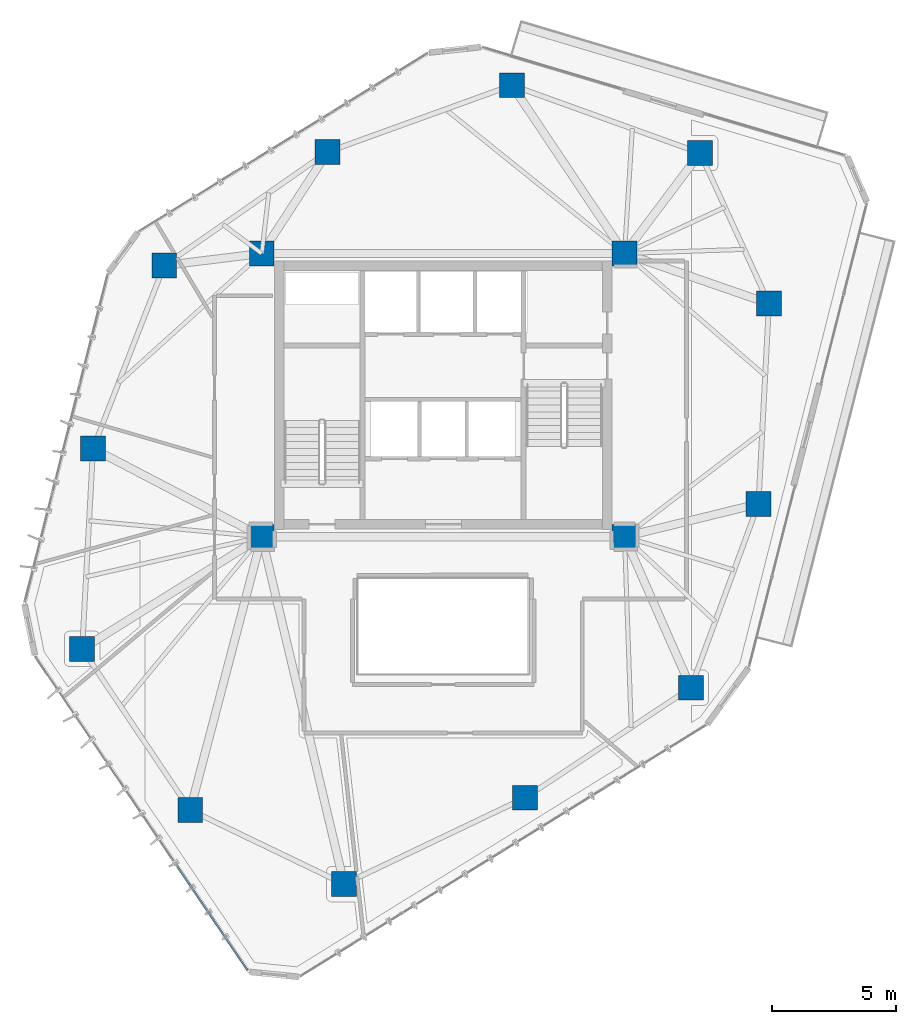
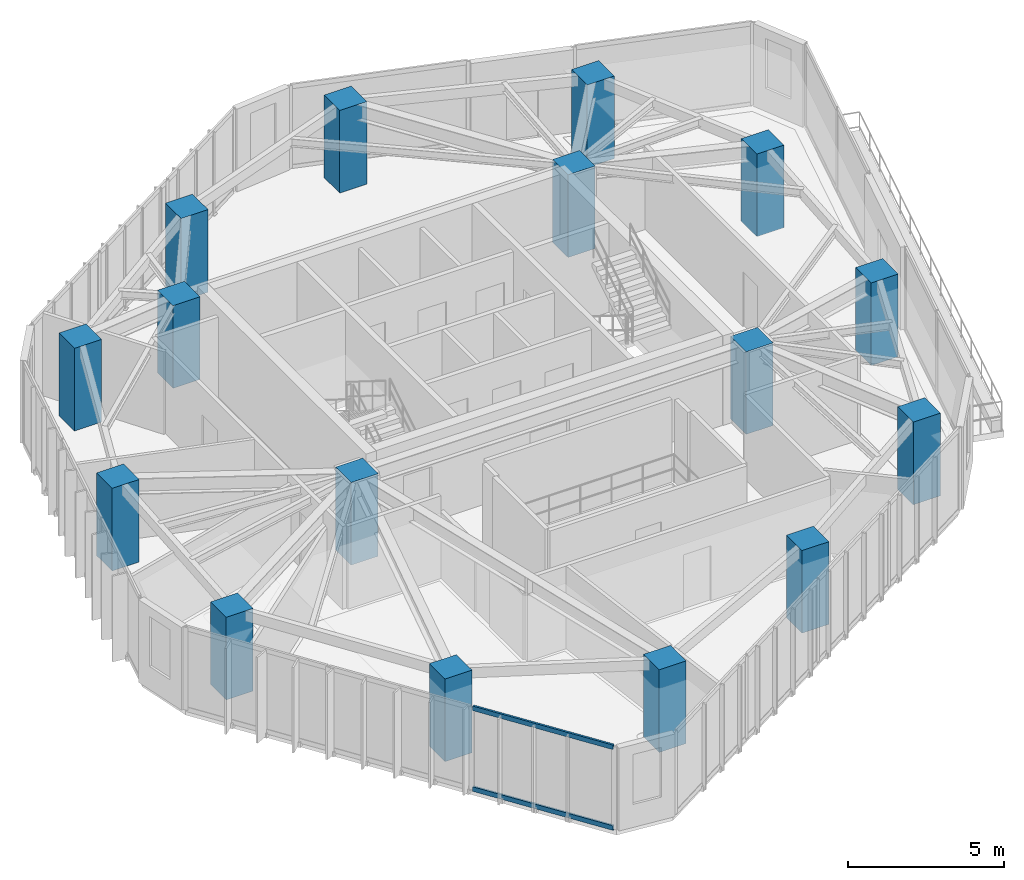
# One storey, part 1 of 21: 16 columns, 2 members, 1 element without a shape of its own.
"""IFC4 building model written with IfcOpenShell, lengths in metres."""

import ifcopenshell
import ifcopenshell.guid

model = None  # the IFC model being written
_history = None  # IfcOwnerHistory: only IFC2X3 demands one
_inside = {}  # id of a spatial element -> (the spatial element, [elements in it])
_under = {}  # id of a project, library or spatial element -> (it, [spatial elements below it])
_declared = {}  # id of a project -> (the project, [libraries it declares])
_typed = {}  # id of a type object -> (the type object, [elements of that type])
_made_of = {}  # id of a material, layer set ... -> (it, [elements and type objects made of it])


def new_model(schema):
    """Start an empty IFC model of exactly this schema.

    Asked for "IFC4X3", IfcOpenShell would pick the latest addendum, in which some entities
    have other attributes; the version numbers below select the first issue.
    IFC2X3 requires an IfcOwnerHistory on every rooted entity: one is made here for all.
    """
    global model, _history
    if schema == "IFC4X3":
        model = ifcopenshell.file(schema_version=(4, 3, 0, 0))
    else:
        model = ifcopenshell.file(schema=schema)
    _inside.clear()
    _under.clear()
    _declared.clear()
    _typed.clear()
    _made_of.clear()
    _history = None
    if model.schema == "IFC2X3":
        org = make("IfcOrganization", Name="unknown")
        user = make(
            "IfcPersonAndOrganization",
            ThePerson=make("IfcPerson", FamilyName="unknown"),
            TheOrganization=org,
        )
        app = make(
            "IfcApplication",
            ApplicationDeveloper=org,
            Version="unknown",
            ApplicationFullName="unknown",
            ApplicationIdentifier="unknown",
        )
        _history = make(
            "IfcOwnerHistory",
            OwningUser=user,
            OwningApplication=app,
            ChangeAction="ADDED",
            CreationDate=0,
        )
    return model


def make(cls, **values):
    """One entity of the class cls with the attributes given. An attribute that is None is left unset."""
    return model.create_entity(
        cls, **{name: value for name, value in values.items() if value is not None}
    )


def rooted(cls, **values):
    """An entity with a GlobalId (a new one), such as an element, a storey or a relation."""
    return make(cls, GlobalId=ifcopenshell.guid.new(), OwnerHistory=_history, **values)


def si_unit(unit_type, name, prefix=None):
    """IfcSIUnit, for example si_unit("LENGTHUNIT", "METRE", prefix="MILLI")."""
    return make("IfcSIUnit", UnitType=unit_type, Prefix=prefix, Name=name)


def assignment(units):
    """IfcUnitAssignment: the units of a project."""
    return None if units is None else make("IfcUnitAssignment", Units=units)


def point(xyz):
    """IfcCartesianPoint."""
    return None if xyz is None else make("IfcCartesianPoint", Coordinates=xyz)


def direction(xyz):
    """IfcDirection."""
    return None if xyz is None else make("IfcDirection", DirectionRatios=xyz)


def frame(location, z_axis=None, x_axis=None):
    """IfcAxis2Placement3D, a coordinate frame: its origin and axes. An axis left out is left unset."""
    return make(
        "IfcAxis2Placement3D",
        Location=point(location),
        Axis=direction(z_axis),
        RefDirection=direction(x_axis),
    )


def frame_2d(location, x_axis=None):
    """IfcAxis2Placement2D, a coordinate frame in the plane: its origin and x axis."""
    return make(
        "IfcAxis2Placement2D", Location=point(location), RefDirection=direction(x_axis)
    )


def origin():
    """The frame at (0, 0, 0) with its axes left unset."""
    return frame((0.0, 0.0, 0.0))


def origin_2d():
    """The frame at (0, 0) in the plane with its x axis left unset."""
    return frame_2d((0.0, 0.0))


def place(relative_to, where):
    """IfcLocalPlacement: puts the frame where relative to a parent placement (None: the world)."""
    return make(
        "IfcLocalPlacement", PlacementRelTo=relative_to, RelativePlacement=where
    )


def context(
    kind, dimensions, precision=None, world=None, true_north=None, identifier=None
):
    """IfcGeometricRepresentationContext, for example the 3D "Model" context."""
    return make(
        "IfcGeometricRepresentationContext",
        ContextIdentifier=identifier,
        ContextType=kind,
        CoordinateSpaceDimension=dimensions,
        Precision=precision,
        WorldCoordinateSystem=world,
        TrueNorth=true_north,
    )


def subcontext(parent, identifier, kind, view, scale=None):
    """IfcGeometricRepresentationSubContext, for example "Body" below "Model"."""
    return make(
        "IfcGeometricRepresentationSubContext",
        ContextIdentifier=identifier,
        ContextType=kind,
        ParentContext=parent,
        TargetScale=scale,
        TargetView=view,
    )


def project(units=None, contexts=None):
    """IfcProject with its units and contexts."""
    return rooted(
        "IfcProject",
        Name="project",
        RepresentationContexts=contexts,
        UnitsInContext=assignment(units),
    )


def spatial(cls, under=None, at=None, **own):
    """A site, building, storey or space (cls), placed at a placement, below another one or the project."""
    s = rooted(cls, ObjectPlacement=at, **own)
    if under is not None:
        _under.setdefault(under.id(), (under, []))[1].append(s)
    return s


def profile(cls, at=None, kind="AREA", **sizes):
    """A parametric profile (cls). Its sizes go by their IFC names, for example OverallWidth=200.0."""
    return make(cls, ProfileType=kind, Position=at, **sizes)


def rectangle(**sizes):
    """IfcRectangleProfileDef."""
    return profile("IfcRectangleProfileDef", **sizes)


def hollow_rectangle(**sizes):
    """IfcRectangleHollowProfileDef."""
    return profile("IfcRectangleHollowProfileDef", **sizes)


def extrude(swept, where, along, depth):
    """IfcExtrudedAreaSolid: the profile swept, set in the frame where, extruded along a direction by depth."""
    return make(
        "IfcExtrudedAreaSolid",
        SweptArea=swept,
        Position=where,
        ExtrudedDirection=direction(along),
        Depth=depth,
    )


def shape(context_of_items, identifier, shape_type, items):
    """IfcShapeRepresentation: the items that make up one representation, for example the "Body"."""
    return make(
        "IfcShapeRepresentation",
        ContextOfItems=context_of_items,
        RepresentationIdentifier=identifier,
        RepresentationType=shape_type,
        Items=items,
    )


def source(mapping_origin, context_of_items, identifier, shape_type, items):
    """IfcRepresentationMap: a shape defined once, which mapped items show again and again."""
    return make(
        "IfcRepresentationMap",
        MappingOrigin=mapping_origin,
        MappedRepresentation=shape(context_of_items, identifier, shape_type, items),
    )


def transform(
    local_origin,
    x_axis=None,
    y_axis=None,
    z_axis=None,
    scale=None,
    scale2=None,
    scale3=None,
    uniform=True,
):
    """IfcCartesianTransformationOperator3D, or its non-uniform kind. x_axis, y_axis, z_axis: its Axis1, 2, 3."""
    if uniform:
        return make(
            "IfcCartesianTransformationOperator3D",
            Axis1=direction(x_axis),
            Axis2=direction(y_axis),
            LocalOrigin=point(local_origin),
            Scale=scale,
            Axis3=direction(z_axis),
        )
    return make(
        "IfcCartesianTransformationOperator3DnonUniform",
        Axis1=direction(x_axis),
        Axis2=direction(y_axis),
        LocalOrigin=point(local_origin),
        Scale=scale,
        Axis3=direction(z_axis),
        Scale2=scale2,
        Scale3=scale3,
    )


def mapped(mapping_source, mapping_target):
    """IfcMappedItem: shows the shape of a source again, moved by a transform."""
    return make(
        "IfcMappedItem", MappingSource=mapping_source, MappingTarget=mapping_target
    )


def material(Name=None, Category=None):
    """IfcMaterial."""
    return make("IfcMaterial", Name=Name, Category=Category)


def layer(
    of_material, thickness, ventilated=None, Name=None, Category=None, Priority=None
):
    """IfcMaterialLayer: one layer of a wall or slab, of a material (None: an air gap)."""
    return make(
        "IfcMaterialLayer",
        Material=of_material,
        LayerThickness=thickness,
        IsVentilated=ventilated,
        Name=Name,
        Category=Category,
        Priority=Priority,
    )


def layer_set(layers, Name=None):
    """IfcMaterialLayerSet."""
    return make("IfcMaterialLayerSet", MaterialLayers=layers, LayerSetName=Name)


def material_profile(
    of_material, cross_section, Name=None, Category=None, Priority=None
):
    """IfcMaterialProfile: a cross section and its material."""
    return make(
        "IfcMaterialProfile",
        Name=Name,
        Material=of_material,
        Profile=cross_section,
        Priority=Priority,
        Category=Category,
    )


def profile_set(profiles, Name=None, composite=None):
    """IfcMaterialProfileSet."""
    return make(
        "IfcMaterialProfileSet",
        Name=Name,
        MaterialProfiles=profiles,
        CompositeProfile=composite,
    )


def made_of(thing, what):
    """Note that an element or type object is made of a material, layer set ...; save() writes the relation."""
    if what is not None:
        _made_of.setdefault(what.id(), (what, []))[1].append(thing)
    return thing


def type_object(cls, material=None, **own):
    """A type object (cls), such as IfcWallType, which elements share."""
    return made_of(rooted(cls, **own), material)


def type_shapes(of_type, sources):
    """Give a type object the sources (RepresentationMaps) that its elements show as mapped items."""
    of_type.RepresentationMaps = sources


def element(
    cls,
    number,
    at=None,
    inside=None,
    cuts=None,
    type_object=None,
    material=None,
    context=None,
    identifier="Body",
    shape_type=None,
    held_by="IfcProductDefinitionShape",
    body=None,
    shapes=None,
    **own,
):
    """One element of the class cls, such as IfcWall. Its Tag is "e" and its number.

    at: its placement. inside: the storey or other place that contains it. cuts: it is an
    opening in that element (IfcRelVoidsElement). A single representation is given by context,
    identifier, shape_type and body (its items); several are given by shapes. held_by: the class
    of the entity that holds the representations. save() writes the other relations.
    """
    e = rooted(cls, Tag="e%d" % number, ObjectPlacement=at, **own)
    if body is not None:
        shapes = [shape(context, identifier, shape_type, body)]
    if shapes is not None:
        e.Representation = make(held_by, Representations=shapes)
    if inside is not None:
        _inside.setdefault(inside.id(), (inside, []))[1].append(e)
    if cuts is not None:
        rooted(
            "IfcRelVoidsElement", RelatingBuildingElement=cuts, RelatedOpeningElement=e
        )
    if type_object is not None:
        _typed.setdefault(type_object.id(), (type_object, []))[1].append(e)
    return made_of(e, material)


def aggregate(whole, parts):
    """IfcRelAggregates: a whole, such as a stair, and the parts it consists of."""
    return rooted("IfcRelAggregates", RelatingObject=whole, RelatedObjects=parts)


def save(model, path):
    """Write the relations noted so far, then the file.

    IfcRelAggregates (storeys below a building ...), IfcRelContainedInSpatialStructure (elements
    in a storey), IfcRelDefinesByType, IfcRelAssociatesMaterial and IfcRelDeclares: one each for
    every whole, place, type object, material and project.
    """
    for whole, parts in _under.values():
        aggregate(whole, parts)
    for where, things in _inside.values():
        rooted(
            "IfcRelContainedInSpatialStructure",
            RelatedElements=things,
            RelatingStructure=where,
        )
    for kind, things in _typed.values():
        rooted("IfcRelDefinesByType", RelatedObjects=things, RelatingType=kind)
    for what, things in _made_of.values():
        rooted("IfcRelAssociatesMaterial", RelatedObjects=things, RelatingMaterial=what)
    for by, libraries in _declared.values():
        rooted("IfcRelDeclares", RelatingContext=by, RelatedDefinitions=libraries)
    model.write(path)


model = new_model("IFC4")

# Units and contexts
model_context = context("Model", 3, precision=1e-05, world=origin(), true_north=direction((0.0, 1.0)))
body_context = subcontext(model_context, "Body", "Model", "MODEL_VIEW")
ifc_project = project(units=[si_unit("LENGTHUNIT", "METRE"), si_unit("AREAUNIT", "SQUARE_METRE"), si_unit("VOLUMEUNIT", "CUBIC_METRE"), si_unit("PLANEANGLEUNIT", "RADIAN"), si_unit("MASSUNIT", "GRAM", prefix="KILO")], contexts=[model_context])

# Site, building, storey
site_placement = place(None, origin())
site = spatial("IfcSite", under=ifc_project, at=site_placement, CompositionType="ELEMENT")
building_placement = place(site_placement, origin())
building = spatial("IfcBuilding", under=site, at=building_placement, Name="Talar Marvaseh", CompositionType="ELEMENT")
storey_placement = place(building_placement, frame((0.0, 0.0, 184.5)))
storey = spatial("IfcBuildingStorey", under=building, at=storey_placement, Name="L48", CompositionType="ELEMENT", Elevation=184.5)

# Columns
ifc_material_1 = material(Name="Concrete C60/75", Category="concrete")
ifc_material_profile_1 = material_profile(ifc_material_1, rectangle(XDim=1.0, YDim=1.0, at=origin_2d()), Name="RC1000x1000")
ifc_profile_set_1 = profile_set([ifc_material_profile_1], Name="Concrete C60/75")
column_type = type_object("IfcColumnType", Name="Zone 3 Tube Column RC1000x1000", PredefinedType="COLUMN", material=ifc_profile_set_1)
for number, where, z_axis, x_axis, name in (
    (1, (28.76611328125, 43.66796875, 0.0), (0.0, 0.0, 1.0), (1.0, 0.0, 0.0), "L48 Zone 3 Tube Column RC1000x1000"),
    (2, (36.341064453125, 40.94189453125, 0.0), (0.0, 0.0, 1.0), (1.0, 0.0, 0.0), "L48 Zone 3 Tube Column RC1000x1000"),
    (3, (39.113037109375, 34.884033203125, 0.0), (0.0, 0.0, 1.0), (1.0, 0.0, 0.0), "L48 Zone 3 Tube Column RC1000x1000"),
    (4, (38.68896484375, 26.823974609375, 0.0), (0.0, 0.0, 1.0), (1.0, 0.0, 0.0), "L48 Zone 3 Tube Column RC1000x1000"),
    (5, (35.970947265625, 19.423095703125, 0.0), (0.0, 0.0, 1.0), (1.0, 0.0, 0.0), "L48 Zone 3 Tube Column RC1000x1000"),
    (6, (29.299072265625, 14.993896484375, 0.0), (0.0, 0.0, 1.0), (1.0, 0.0, 0.0), "L48 Zone 3 Tube Column RC1000x1000"),
    (7, (22.014892578125, 11.51904296875, 0.0), (0.0, 0.0, 1.0), (1.0, 0.0, 0.0), "L48 Zone 3 Tube Column RC1000x1000"),
    (8, (15.819091796875, 14.5009765625, 0.0), (0.0, 0.0, 1.0), (1.0, 0.0, 0.0), "L48 Zone 3 Tube Column RC1000x1000"),
    (9, (11.471923828125, 20.986083984375, 0.0), (0.0, 0.0, 1.0), (1.0, 0.0, 0.0), "L48 Zone 3 Tube Column RC1000x1000"),
    (10, (11.908935546875, 29.044921875, 0.0), (0.0, 0.0, 1.0), (1.0, 0.0, 0.0), "L48 Zone 3 Tube Column RC1000x1000"),
    (11, (14.77294921875, 36.416015625, 0.0), (0.0, 0.0, 1.0), (1.0, 0.0, 0.0), "L48 Zone 3 Tube Column RC1000x1000"),
    (12, (21.35205078125, 40.986083984375, 0.0), (0.0, 0.0, 1.0), (1.0, 0.0, 0.0), "L48 Zone 3 Tube Column RC1000x1000"),
    (13, (18.699951171875, 25.5, 0.0), (0.0, 0.0, 1.0), (1.0, 0.0, 0.0), "L48 Zone 3 Tube Column RC1000x1000"),
    (14, (33.300048828125, 25.5, 0.0), (0.0, 0.0, 1.0), (1.0, 0.0, 0.0), "L48 Zone 3 Tube Column RC1000x1000"),
    (15, (33.300048828125, 36.89990234375, 0.0), (0.0, 0.0, 1.0), (1.0, 0.0, 0.0), "L48 Zone 3 Tube Column RC1000x1000"),
    (16, (18.699951171875, 36.89990234375, 0.0), (0.0, 0.0, 1.0), (1.0, 0.0, 0.0), "L48 Zone 3 Tube Column RC1000x1000"),
):
    element("IfcColumn", number, at=place(storey_placement, frame(where, z_axis=z_axis, x_axis=x_axis)), inside=storey, type_object=column_type, Name=name, PredefinedType="COLUMN", context=body_context, shape_type="SweptSolid", body=[
        extrude(rectangle(XDim=1.0, YDim=1.0, at=origin_2d()), origin(), (0.0, 0.0, 1.0), 3.22998046875),
    ])

# Curtain wall, members
ifc_material_2 = material(Name="Architectural Aluminium", Category="aluminium")
ifc_layer = layer(ifc_material_2, 0.18994140625)
ifc_layer_set = layer_set([ifc_layer], Name="Architectural Aluminium")
curtain_wall_type = type_object("IfcCurtainWallType", Name="Unitised Solar Atelier Curtain Wall Z3", PredefinedType="NOTDEFINED", material=ifc_layer_set)
curtain_wall_placement = place(storey_placement, origin())
curtain_wall = element("IfcCurtainWall", 17, at=curtain_wall_placement, inside=storey, type_object=curtain_wall_type, Name="L48 Unitised Solar Atelier Curtain Wall Z3", PredefinedType="NOTDEFINED")
ifc_material_profile_2 = material_profile(ifc_material_2, hollow_rectangle(XDim=0.074951171875, YDim=0.179931640625, WallThickness=0.0048828125, at=origin_2d()), Name="RHS180x75x5")
ifc_profile_set_2 = profile_set([ifc_material_profile_2], Name="Architectural Aluminium")
member_type = type_object("IfcMemberType", Name="Unitised Curtain Wall Transom RHS180x75x5", PredefinedType="USERDEFINED", material=ifc_profile_set_2)
shared_shape = source(origin(), body_context, "Body", "SweptSolid", [
    extrude(hollow_rectangle(XDim=0.074951171875, YDim=0.179931640625, WallThickness=0.0048828125, at=origin_2d()), origin(), (0.0, 0.0, 1.0), 5.00048828125),
])
type_shapes(member_type, [shared_shape])
member_1_placement = place(storey_placement, frame((18.1279296875, 8.068603515625, 0.03759765625), z_axis=(-0.560590106195, 0.828093432431, 0.0), x_axis=(-0.828093432431, -0.560590106195, 0.0)))
member_1 = element("IfcMember", 18, at=member_1_placement, type_object=member_type, Name="CW-Z3 transom 1.1", ObjectType="TRANSOM", PredefinedType="USERDEFINED", context=body_context, shape_type="MappedRepresentation", body=[
    mapped(shared_shape, transform((0.0, 0.0, 0.0), x_axis=(1.0, 0.0, 0.0), y_axis=(0.0, 1.0, 0.0), z_axis=(0.0, 0.0, 1.0), scale=1.0)),
])
member_2_placement = place(storey_placement, frame((18.1279296875, 8.068603515625, 3.1923828125), z_axis=(-0.560590106195, 0.828093432431, 0.0), x_axis=(-0.828093432431, -0.560590106195, 0.0)))
member_2 = element("IfcMember", 19, at=member_2_placement, type_object=member_type, Name="CW-Z3 transom 1.2", ObjectType="TRANSOM", PredefinedType="USERDEFINED", context=body_context, shape_type="MappedRepresentation", body=[
    mapped(shared_shape, transform((0.0, 0.0, 0.0), x_axis=(1.0, 0.0, 0.0), y_axis=(0.0, 1.0, 0.0), z_axis=(0.0, 0.0, 1.0), scale=1.0)),
])
aggregate(curtain_wall, [member_1, member_2])

save(model, "model.ifc")
